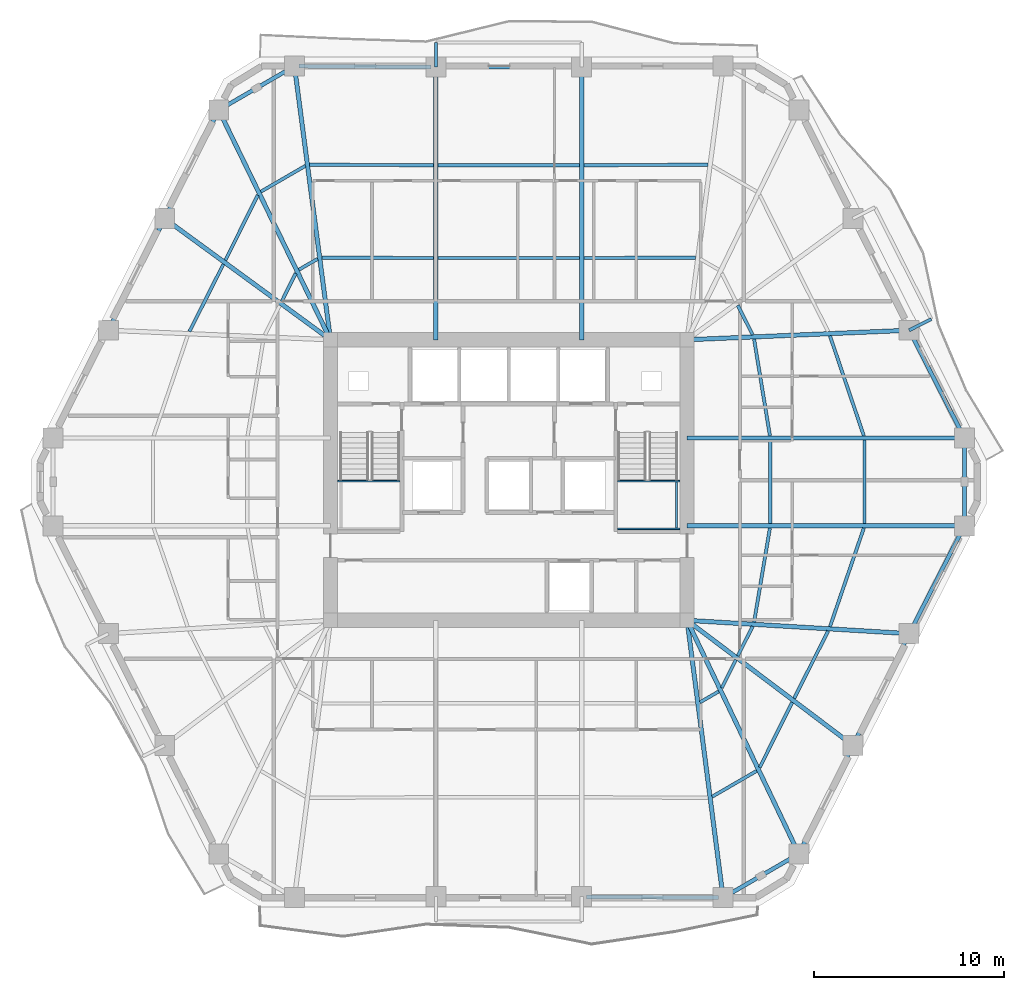
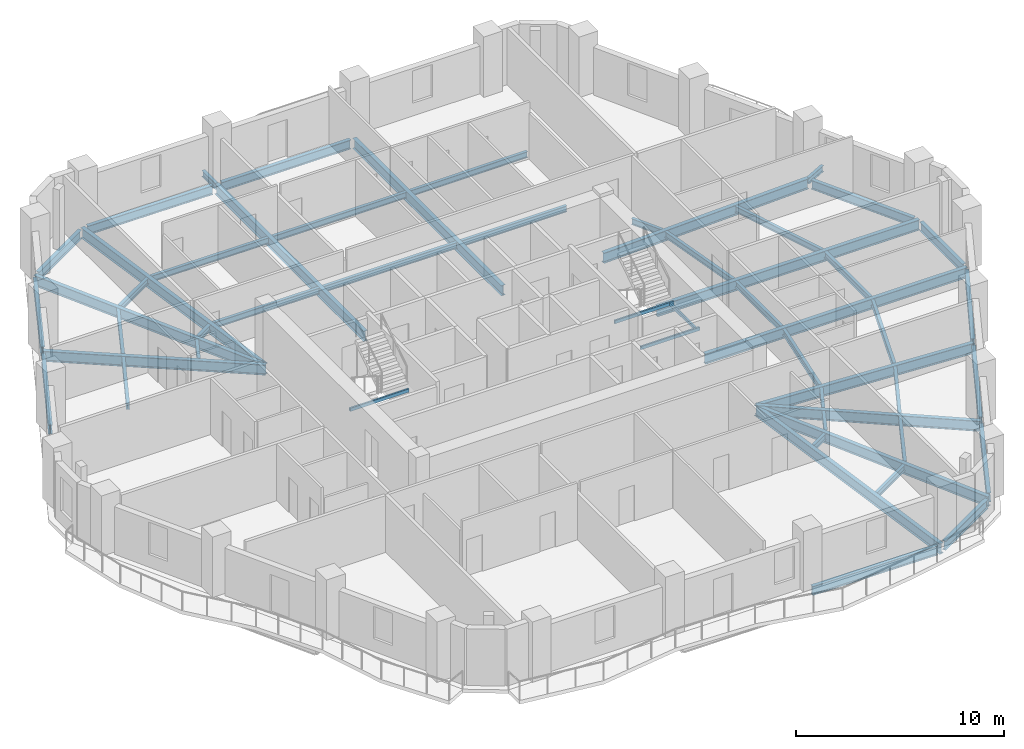
# One storey, part 2 of 11: 54 beams.
"""IFC4 building model written with IfcOpenShell, lengths in metres."""

from ifc_helpers import new_model, si_unit, direction, frame, origin, origin_2d, place, context, subcontext, project, spatial, hollow_rectangle, i_section, extrude, material, material_profile, profile_set, type_object, element, save


model = new_model("IFC4")

# Units and contexts
model_context = context("Model", 3, precision=1e-05, world=origin(), true_north=direction((0.0, 1.0)))
body_context = subcontext(model_context, "Body", "Model", "MODEL_VIEW")
ifc_project = project(units=[si_unit("LENGTHUNIT", "METRE"), si_unit("AREAUNIT", "SQUARE_METRE"), si_unit("VOLUMEUNIT", "CUBIC_METRE"), si_unit("PLANEANGLEUNIT", "RADIAN"), si_unit("MASSUNIT", "GRAM", prefix="KILO")], contexts=[model_context])

# Site, building, storey
site_placement = place(None, origin())
site = spatial("IfcSite", under=ifc_project, at=site_placement, CompositionType="ELEMENT")
building_placement = place(site_placement, origin())
building = spatial("IfcBuilding", under=site, at=building_placement, Name="Cinnabar Lancet Tower", CompositionType="ELEMENT")
storey_placement = place(building_placement, frame((0.0, 0.0, 133.89990234375)))
storey = spatial("IfcBuildingStorey", under=building, at=storey_placement, Name="L35", CompositionType="ELEMENT", Elevation=133.89990234375)

# Beams
ifc_material_1 = material(Name="Structural steel S355", Category="steel")
ifc_material_profile_1 = material_profile(ifc_material_1, i_section(OverallWidth=0.17138671875, OverallDepth=0.35498046875, WebThickness=0.00732421875, FlangeThickness=0.011474609375, FilletRadius=0.01025390625, at=origin_2d()), Name="UKB 356x171x51")
ifc_profile_set_1 = profile_set([ifc_material_profile_1], Name="Structural steel S355")
beam_type_1 = type_object("IfcBeamType", Name="STR-BM-JST-356", PredefinedType="JOIST", material=ifc_profile_set_1)
beam_1_placement = place(storey_placement, frame((43.093994140625, 9.251953125, -0.387939453125), z_axis=(0.865172906898, 0.501473669469, 0.0), x_axis=(-0.501473669469, 0.865172906898, 0.0)))
element("IfcBeam", 1, at=beam_1_placement, inside=storey, type_object=beam_type_1, Name="L35 Secondary Floor Joist 15", PredefinedType="JOIST", context=body_context, shape_type="SweptSolid", body=[
    extrude(i_section(OverallWidth=0.17138671875, OverallDepth=0.35498046875, WebThickness=0.00732421875, FlangeThickness=0.011474609375, FilletRadius=0.01025390625, at=origin_2d()), origin(), (0.0, 0.0, 1.0), 2.705810546875),
])
beam_2_placement = place(storey_placement, frame((42.449951171875, 14.2109375, -0.387939453125), z_axis=(0.865055308165, 0.501676503154, 0.0), x_axis=(-0.501676503154, 0.865055308165, 0.0)))
element("IfcBeam", 2, at=beam_2_placement, inside=storey, type_object=beam_type_1, Name="L35 Secondary Floor Joist 16", PredefinedType="JOIST", context=body_context, shape_type="SweptSolid", body=[
    extrude(i_section(OverallWidth=0.17138671875, OverallDepth=0.35498046875, WebThickness=0.00732421875, FlangeThickness=0.011474609375, FilletRadius=0.01025390625, at=origin_2d()), origin(), (0.0, 0.0, 1.0), 1.14208984375),
])
beam_3_placement = place(storey_placement, frame((45.59912109375, 10.7958984375, -0.387939453125), z_axis=(0.445295120803, 0.895383859241, 0.0), x_axis=(-0.895383859241, 0.445295120803, 0.0)))
element("IfcBeam", 3, at=beam_3_placement, inside=storey, type_object=beam_type_1, Name="L35 Secondary Floor Joist 17", PredefinedType="JOIST", context=body_context, shape_type="SweptSolid", body=[
    extrude(i_section(OverallWidth=0.17138671875, OverallDepth=0.35498046875, WebThickness=0.00732421875, FlangeThickness=0.011474609375, FilletRadius=0.01025390625, at=origin_2d()), origin(), (0.0, 0.0, 1.0), 3.81982421875),
])
beam_4_placement = place(storey_placement, frame((43.60205078125, 14.970947265625, -0.387939453125), z_axis=(0.44543923568, 0.895312173109, 0.0), x_axis=(-0.895312173109, 0.44543923568, 0.0)))
element("IfcBeam", 4, at=beam_4_placement, inside=storey, type_object=beam_type_1, Name="L35 Secondary Floor Joist 18", PredefinedType="JOIST", context=body_context, shape_type="SweptSolid", body=[
    extrude(i_section(OverallWidth=0.17138671875, OverallDepth=0.35498046875, WebThickness=0.00732421875, FlangeThickness=0.011474609375, FilletRadius=0.01025390625, at=origin_2d()), origin(), (0.0, 0.0, 1.0), 1.65185546875),
])
beam_5_placement = place(storey_placement, frame((47.404052734375, 14.424072265625, -0.387939453125), z_axis=(0.450706028652, 0.892672434736, 0.0), x_axis=(-0.892672434736, 0.450706028652, 0.0)))
element("IfcBeam", 5, at=beam_5_placement, inside=storey, type_object=beam_type_1, Name="L35 Secondary Floor Joist 19", PredefinedType="JOIST", context=body_context, shape_type="SweptSolid", body=[
    extrude(i_section(OverallWidth=0.17138671875, OverallDepth=0.35498046875, WebThickness=0.00732421875, FlangeThickness=0.011474609375, FilletRadius=0.01025390625, at=origin_2d()), origin(), (0.0, 0.0, 1.0), 3.966796875),
])
beam_6_placement = place(storey_placement, frame((44.44091796875, 16.657958984375, -0.387939453125), z_axis=(0.450874341268, 0.892587434589, 0.0), x_axis=(-0.892587434589, 0.450874341268, 0.0)))
element("IfcBeam", 6, at=beam_6_placement, inside=storey, type_object=beam_type_1, Name="L35 Secondary Floor Joist 20", PredefinedType="JOIST", context=body_context, shape_type="SweptSolid", body=[
    extrude(i_section(OverallWidth=0.17138671875, OverallDepth=0.35498046875, WebThickness=0.00732421875, FlangeThickness=0.011474609375, FilletRadius=0.01025390625, at=origin_2d()), origin(), (0.0, 0.0, 1.0), 1.732177734375),
])
beam_7_placement = place(storey_placement, frame((49.287109375, 18.18798828125, -0.387939453125), z_axis=(0.324639458548, 0.945837841257, 0.0), x_axis=(-0.945837841257, 0.324639458548, 0.0)))
element("IfcBeam", 7, at=beam_7_placement, inside=storey, type_object=beam_type_1, Name="L35 Secondary Floor Joist 21", PredefinedType="JOIST", context=body_context, shape_type="SweptSolid", body=[
    extrude(i_section(OverallWidth=0.17138671875, OverallDepth=0.35498046875, WebThickness=0.00732421875, FlangeThickness=0.011474609375, FilletRadius=0.01025390625, at=origin_2d()), origin(), (0.0, 0.0, 1.0), 5.486083984375),
])
beam_8_placement = place(storey_placement, frame((45.297119140625, 18.427978515625, -0.387939453125), z_axis=(0.165937104691, 0.986136338082, 0.0), x_axis=(-0.986136338082, 0.165937104691, 0.0)))
element("IfcBeam", 8, at=beam_8_placement, inside=storey, type_object=beam_type_1, Name="L35 Secondary Floor Joist 22", PredefinedType="JOIST", context=body_context, shape_type="SweptSolid", body=[
    extrude(i_section(OverallWidth=0.17138671875, OverallDepth=0.35498046875, WebThickness=0.00732421875, FlangeThickness=0.011474609375, FilletRadius=0.01025390625, at=origin_2d()), origin(), (0.0, 0.0, 1.0), 5.0185546875),
])
for number, where, z_axis, x_axis, name in (
    (9, (51.10693359375, 23.60498046875, -0.387939453125), (0.0, 1.0, 0.0), (-1.0, 0.0, 0.0), "L35 Secondary Floor Joist 23"),
    (10, (46.14990234375, 23.60498046875, -0.387939453125), (0.0, 1.0, 0.0), (-1.0, 0.0, 0.0), "L35 Secondary Floor Joist 24"),
):
    element("IfcBeam", number, at=place(storey_placement, frame(where, z_axis=z_axis, x_axis=x_axis)), inside=storey, type_object=beam_type_1, Name=name, PredefinedType="JOIST", context=body_context, shape_type="SweptSolid", body=[
        extrude(i_section(OverallWidth=0.17138671875, OverallDepth=0.35498046875, WebThickness=0.00732421875, FlangeThickness=0.011474609375, FilletRadius=0.01025390625, at=origin_2d()), origin(), (0.0, 0.0, 1.0), 4.39013671875),
    ])
beam_9_placement = place(storey_placement, frame((51.069091796875, 28.222900390625, -0.387939453125), z_axis=(-0.321063338019, 0.947057724207, 0.0), x_axis=(-0.947057724207, -0.321063338019, 0.0)))
element("IfcBeam", 11, at=beam_9_placement, inside=storey, type_object=beam_type_1, Name="L35 Secondary Floor Joist 25", PredefinedType="JOIST", context=body_context, shape_type="SweptSolid", body=[
    extrude(i_section(OverallWidth=0.17138671875, OverallDepth=0.35498046875, WebThickness=0.00732421875, FlangeThickness=0.011474609375, FilletRadius=0.01025390625, at=origin_2d()), origin(), (0.0, 0.0, 1.0), 5.553955078125),
])
beam_10_placement = place(storey_placement, frame((46.131103515625, 28.222900390625, -0.387939453125), z_axis=(-0.161719098977, 0.986836832017, 0.0), x_axis=(-0.986836832017, -0.161719098977, 0.0)))
element("IfcBeam", 12, at=beam_10_placement, inside=storey, type_object=beam_type_1, Name="L35 Secondary Floor Joist 26", PredefinedType="JOIST", context=body_context, shape_type="SweptSolid", body=[
    extrude(i_section(OverallWidth=0.17138671875, OverallDepth=0.35498046875, WebThickness=0.00732421875, FlangeThickness=0.011474609375, FilletRadius=0.01025390625, at=origin_2d()), origin(), (0.0, 0.0, 1.0), 5.156982421875),
])
beam_11_placement = place(storey_placement, frame((45.221923828125, 33.537109375, -0.387939453125), z_axis=(-0.450931068976, 0.892558777354, 0.0), x_axis=(-0.892558777354, -0.450931068976, 0.0)))
element("IfcBeam", 13, at=beam_11_placement, inside=storey, type_object=beam_type_1, Name="L35 Secondary Floor Joist 28", PredefinedType="JOIST", context=body_context, shape_type="SweptSolid", body=[
    extrude(i_section(OverallWidth=0.17138671875, OverallDepth=0.35498046875, WebThickness=0.00732421875, FlangeThickness=0.011474609375, FilletRadius=0.01025390625, at=origin_2d()), origin(), (0.0, 0.0, 1.0), 1.73193359375),
])
beam_12_placement = place(storey_placement, frame((42.8720703125, 42.48095703125, -0.387939453125), z_axis=(-0.999987991898, -0.004900618269, 0.0), x_axis=(0.004900618269, -0.999987991898, 0.0)))
element("IfcBeam", 14, at=beam_12_placement, inside=storey, type_object=beam_type_1, Name="L35 Secondary Floor Joist 33", PredefinedType="JOIST", context=body_context, shape_type="SweptSolid", body=[
    extrude(i_section(OverallWidth=0.17138671875, OverallDepth=0.35498046875, WebThickness=0.00732421875, FlangeThickness=0.011474609375, FilletRadius=0.01025390625, at=origin_2d()), origin(), (0.0, 0.0, 1.0), 6.526123046875),
])
beam_13_placement = place(storey_placement, frame((42.22802734375, 37.591064453125, -0.387939453125), z_axis=(-0.999996247906, -0.002739374605, 0.0), x_axis=(0.002739374605, -0.999996247906, 0.0)))
element("IfcBeam", 15, at=beam_13_placement, inside=storey, type_object=beam_type_1, Name="L35 Secondary Floor Joist 34", PredefinedType="JOIST", context=body_context, shape_type="SweptSolid", body=[
    extrude(i_section(OverallWidth=0.17138671875, OverallDepth=0.35498046875, WebThickness=0.00732421875, FlangeThickness=0.011474609375, FilletRadius=0.01025390625, at=origin_2d()), origin(), (0.0, 0.0, 1.0), 5.882080078125),
])
for number, where, z_axis, x_axis, name in (
    (16, (36.117919921875, 42.447998046875, -0.387939453125), (-1.0, 0.0, 0.0), (0.0, -1.0, 0.0), "L35 Secondary Floor Joist 35"),
    (17, (36.117919921875, 37.574951171875, -0.387939453125), (-1.0, 0.0, 0.0), (0.0, -1.0, 0.0), "L35 Secondary Floor Joist 36"),
):
    element("IfcBeam", number, at=place(storey_placement, frame(where, z_axis=z_axis, x_axis=x_axis)), inside=storey, type_object=beam_type_1, Name=name, PredefinedType="JOIST", context=body_context, shape_type="SweptSolid", body=[
        extrude(i_section(OverallWidth=0.17138671875, OverallDepth=0.35498046875, WebThickness=0.00732421875, FlangeThickness=0.011474609375, FilletRadius=0.01025390625, at=origin_2d()), origin(), (0.0, 0.0, 1.0), 7.43603515625),
    ])
beam_14_placement = place(storey_placement, frame((28.4541015625, 42.448974609375, -0.387939453125), z_axis=(-0.999987991898, 0.004900618269, 0.0), x_axis=(-0.004900618269, -0.999987991898, 0.0)))
element("IfcBeam", 18, at=beam_14_placement, inside=storey, type_object=beam_type_1, Name="L35 Secondary Floor Joist 37", PredefinedType="JOIST", context=body_context, shape_type="SweptSolid", body=[
    extrude(i_section(OverallWidth=0.17138671875, OverallDepth=0.35498046875, WebThickness=0.00732421875, FlangeThickness=0.011474609375, FilletRadius=0.01025390625, at=origin_2d()), origin(), (0.0, 0.0, 1.0), 6.526123046875),
])
beam_15_placement = place(storey_placement, frame((28.4541015625, 37.574951171875, -0.387939453125), z_axis=(-0.999996247906, 0.002739374605, 0.0), x_axis=(-0.002739374605, -0.999996247906, 0.0)))
element("IfcBeam", 19, at=beam_15_placement, inside=storey, type_object=beam_type_1, Name="L35 Secondary Floor Joist 38", PredefinedType="JOIST", context=body_context, shape_type="SweptSolid", body=[
    extrude(i_section(OverallWidth=0.17138671875, OverallDepth=0.35498046875, WebThickness=0.00732421875, FlangeThickness=0.011474609375, FilletRadius=0.01025390625, at=origin_2d()), origin(), (0.0, 0.0, 1.0), 5.882080078125),
])
beam_16_placement = place(storey_placement, frame((21.7060546875, 42.419921875, -0.387939453125), z_axis=(-0.865172906898, -0.501473669469, 0.0), x_axis=(0.501473669469, -0.865172906898, 0.0)))
element("IfcBeam", 20, at=beam_16_placement, inside=storey, type_object=beam_type_1, Name="L35 Secondary Floor Joist 39", PredefinedType="JOIST", context=body_context, shape_type="SweptSolid", body=[
    extrude(i_section(OverallWidth=0.17138671875, OverallDepth=0.35498046875, WebThickness=0.00732421875, FlangeThickness=0.011474609375, FilletRadius=0.01025390625, at=origin_2d()), origin(), (0.0, 0.0, 1.0), 2.705810546875),
])
beam_17_placement = place(storey_placement, frame((22.35009765625, 37.529052734375, -0.387939453125), z_axis=(-0.865055308165, -0.501676503154, 0.0), x_axis=(0.501676503154, -0.865055308165, 0.0)))
element("IfcBeam", 21, at=beam_17_placement, inside=storey, type_object=beam_type_1, Name="L35 Secondary Floor Joist 40", PredefinedType="JOIST", context=body_context, shape_type="SweptSolid", body=[
    extrude(i_section(OverallWidth=0.17138671875, OverallDepth=0.35498046875, WebThickness=0.00732421875, FlangeThickness=0.011474609375, FilletRadius=0.01025390625, at=origin_2d()), origin(), (0.0, 0.0, 1.0), 1.14208984375),
])
beam_18_placement = place(storey_placement, frame((19.200927734375, 40.876953125, -0.387939453125), z_axis=(-0.445116798807, -0.895472520751, 0.0), x_axis=(0.895472520751, -0.445116798807, 0.0)))
element("IfcBeam", 22, at=beam_18_placement, inside=storey, type_object=beam_type_1, Name="L35 Secondary Floor Joist 41", PredefinedType="JOIST", context=body_context, shape_type="SweptSolid", body=[
    extrude(i_section(OverallWidth=0.17138671875, OverallDepth=0.35498046875, WebThickness=0.00732421875, FlangeThickness=0.011474609375, FilletRadius=0.01025390625, at=origin_2d()), origin(), (0.0, 0.0, 1.0), 3.8212890625),
])
beam_19_placement = place(storey_placement, frame((21.198974609375, 36.77001953125, -0.387939453125), z_axis=(-0.445795466264, -0.895134851438, 0.0), x_axis=(0.895134851438, -0.445795466264, 0.0)))
element("IfcBeam", 23, at=beam_19_placement, inside=storey, type_object=beam_type_1, Name="L35 Secondary Floor Joist 42", PredefinedType="JOIST", context=body_context, shape_type="SweptSolid", body=[
    extrude(i_section(OverallWidth=0.17138671875, OverallDepth=0.35498046875, WebThickness=0.00732421875, FlangeThickness=0.011474609375, FilletRadius=0.01025390625, at=origin_2d()), origin(), (0.0, 0.0, 1.0), 1.6533203125),
])
beam_20_placement = place(storey_placement, frame((17.39599609375, 37.2490234375, -0.387939453125), z_axis=(-0.450656035687, -0.892697674187, 0.0), x_axis=(0.892697674187, -0.450656035687, 0.0)))
element("IfcBeam", 24, at=beam_20_placement, inside=storey, type_object=beam_type_1, Name="L35 Secondary Floor Joist 43", PredefinedType="JOIST", context=body_context, shape_type="SweptSolid", body=[
    extrude(i_section(OverallWidth=0.17138671875, OverallDepth=0.35498046875, WebThickness=0.00732421875, FlangeThickness=0.011474609375, FilletRadius=0.01025390625, at=origin_2d()), origin(), (0.0, 0.0, 1.0), 3.9677734375),
])
ifc_material_2 = material(Name="Structural steel S355", Category="steel")
ifc_material_profile_2 = material_profile(ifc_material_2, hollow_rectangle(XDim=0.10009765625, YDim=0.199951171875, WallThickness=0.008056640625, InnerFilletRadius=0.00390625, OuterFilletRadius=0.011962890625, at=origin_2d()), Name="RHS 200x100x8")
ifc_profile_set_2 = profile_set([ifc_material_profile_2], Name="Structural steel S355")
beam_type_2 = type_object("IfcBeamType", Name="STR-BM-LND-203", PredefinedType="BEAM", material=ifc_profile_set_2)
beam_21_placement = place(storey_placement, frame((23.39990234375, 25.844970703125, 1.47509765625), z_axis=(1.0, 0.0, 0.0), x_axis=(0.0, 1.0, 0.0)))
element("IfcBeam", 25, at=beam_21_placement, inside=storey, type_object=beam_type_2, Name="L35 ST-1-L35 Landing Support Beam N", PredefinedType="BEAM", context=body_context, shape_type="SweptSolid", body=[
    extrude(hollow_rectangle(XDim=0.10009765625, YDim=0.199951171875, WallThickness=0.008056640625, InnerFilletRadius=0.00390625, OuterFilletRadius=0.011962890625, at=origin_2d()), origin(), (0.0, 0.0, 1.0), 3.280029296875),
])
for number, where, z_axis, x_axis, name in (
    (26, (38.1201171875, 23.330078125, 1.47509765625), (1.0, 0.0, 0.0), (0.0, 1.0, 0.0), "L35 ST-2-L35 Landing Support Beam S"),
    (27, (38.1201171875, 25.844970703125, 1.47509765625), (1.0, 0.0, 0.0), (0.0, 1.0, 0.0), "L35 ST-2-L35 Landing Support Beam N"),
):
    element("IfcBeam", number, at=place(storey_placement, frame(where, z_axis=z_axis, x_axis=x_axis)), inside=storey, type_object=beam_type_2, Name=name, PredefinedType="BEAM", context=body_context, shape_type="SweptSolid", body=[
        extrude(hollow_rectangle(XDim=0.10009765625, YDim=0.199951171875, WallThickness=0.008056640625, InnerFilletRadius=0.00390625, OuterFilletRadius=0.011962890625, at=origin_2d()), origin(), (0.0, 0.0, 1.0), 3.27978515625),
    ])
beam_22_placement = place(storey_placement, frame((41.219970703125, 23.3798828125, 1.47509765625), z_axis=(0.0, 1.0, 0.0), x_axis=(-1.0, 0.0, 0.0)))
element("IfcBeam", 28, at=beam_22_placement, inside=storey, type_object=beam_type_2, Name="L35 ST-2-L35 Landing Side Trimmer Beam", PredefinedType="BEAM", context=body_context, shape_type="SweptSolid", body=[
    extrude(hollow_rectangle(XDim=0.10009765625, YDim=0.199951171875, WallThickness=0.008056640625, InnerFilletRadius=0.00390625, OuterFilletRadius=0.011962890625, at=origin_2d()), origin(), (0.0, 0.0, 1.0), 2.4150390625),
])
ifc_material_3 = material(Name="Structural steel S355", Category="steel")
ifc_material_profile_3 = material_profile(ifc_material_3, i_section(OverallWidth=0.209228515625, OverallDepth=0.533203125, WebThickness=0.010009765625, FlangeThickness=0.015625, FilletRadius=0.0126953125, at=origin_2d()), Name="UKB 533x210x92")
ifc_profile_set_3 = profile_set([ifc_material_profile_3], Name="Structural steel S355")
beam_type_3 = type_object("IfcBeamType", Name="STR-BM-SPN-533", PredefinedType="SPANDREL", material=ifc_profile_set_3)
beam_23_placement = place(storey_placement, frame((36.48193359375, 3.989990234375, -0.476806640625), z_axis=(0.999974980359, -0.007073800628, 0.0), x_axis=(0.007073800628, 0.999974980359, 0.0)))
element("IfcBeam", 29, at=beam_23_placement, inside=storey, type_object=beam_type_3, Name="L35 Perimeter Spandrel 3", PredefinedType="SPANDREL", context=body_context, shape_type="SweptSolid", body=[
    extrude(i_section(OverallWidth=0.209228515625, OverallDepth=0.533203125, WebThickness=0.010009765625, FlangeThickness=0.015625, FilletRadius=0.0126953125, at=origin_2d()), origin(), (0.0, 0.0, 1.0), 6.937255859375),
])
beam_24_placement = place(storey_placement, frame((43.885009765625, 4.06396484375, -0.476806640625), z_axis=(0.865112299906, 0.501578217781, 0.0), x_axis=(-0.501578217781, 0.865112299906, 0.0)))
element("IfcBeam", 30, at=beam_24_placement, inside=storey, type_object=beam_type_3, Name="L35 Perimeter Spandrel 4", PredefinedType="SPANDREL", context=body_context, shape_type="SweptSolid", body=[
    extrude(i_section(OverallWidth=0.209228515625, OverallDepth=0.533203125, WebThickness=0.010009765625, FlangeThickness=0.015625, FilletRadius=0.0126953125, at=origin_2d()), origin(), (0.0, 0.0, 1.0), 4.101318359375),
])
beam_25_placement = place(storey_placement, frame((47.760009765625, 6.469970703125, -0.476806640625), z_axis=(0.445501068635, 0.89528140707, 0.0), x_axis=(-0.89528140707, 0.445501068635, 0.0)))
element("IfcBeam", 31, at=beam_25_placement, inside=storey, type_object=beam_type_3, Name="L35 Perimeter Spandrel 5", PredefinedType="SPANDREL", context=body_context, shape_type="SweptSolid", body=[
    extrude(i_section(OverallWidth=0.209228515625, OverallDepth=0.533203125, WebThickness=0.010009765625, FlangeThickness=0.015625, FilletRadius=0.0126953125, at=origin_2d()), origin(), (0.0, 0.0, 1.0), 5.87646484375),
])
beam_26_placement = place(storey_placement, frame((50.60205078125, 12.177978515625, -0.476806640625), z_axis=(0.450570325924, 0.892740937449, 0.0), x_axis=(-0.892740937449, 0.450570325924, 0.0)))
element("IfcBeam", 32, at=beam_26_placement, inside=storey, type_object=beam_type_3, Name="L35 Perimeter Spandrel 6", PredefinedType="SPANDREL", context=body_context, shape_type="SweptSolid", body=[
    extrude(i_section(OverallWidth=0.209228515625, OverallDepth=0.533203125, WebThickness=0.010009765625, FlangeThickness=0.015625, FilletRadius=0.0126953125, at=origin_2d()), origin(), (0.0, 0.0, 1.0), 6.07470703125),
])
beam_27_placement = place(storey_placement, frame((53.56591796875, 18.0458984375, -0.476806640625), z_axis=(0.456109733574, 0.889923542187, 0.0), x_axis=(-0.889923542187, 0.456109733574, 0.0)))
element("IfcBeam", 33, at=beam_27_placement, inside=storey, type_object=beam_type_3, Name="L35 Perimeter Spandrel 7", PredefinedType="SPANDREL", context=body_context, shape_type="SweptSolid", body=[
    extrude(i_section(OverallWidth=0.209228515625, OverallDepth=0.533203125, WebThickness=0.010009765625, FlangeThickness=0.015625, FilletRadius=0.0126953125, at=origin_2d()), origin(), (0.0, 0.0, 1.0), 5.869140625),
])
beam_28_placement = place(storey_placement, frame((56.35693359375, 23.740966796875, -0.476806640625), z_axis=(0.0, 1.0, 0.0), x_axis=(-1.0, 0.0, 0.0)))
element("IfcBeam", 34, at=beam_28_placement, inside=storey, type_object=beam_type_3, Name="L35 Perimeter Spandrel 8", PredefinedType="SPANDREL", context=body_context, shape_type="SweptSolid", body=[
    extrude(i_section(OverallWidth=0.209228515625, OverallDepth=0.533203125, WebThickness=0.010009765625, FlangeThickness=0.015625, FilletRadius=0.0126953125, at=origin_2d()), origin(), (0.0, 0.0, 1.0), 4.117919921875),
])
beam_29_placement = place(storey_placement, frame((56.242919921875, 28.3310546875, -0.476806640625), z_axis=(-0.456126618405, 0.889914888055, 0.0), x_axis=(-0.889914888055, -0.456126618405, 0.0)))
element("IfcBeam", 35, at=beam_29_placement, inside=storey, type_object=beam_type_3, Name="L35 Perimeter Spandrel 9", PredefinedType="SPANDREL", context=body_context, shape_type="SweptSolid", body=[
    extrude(i_section(OverallWidth=0.209228515625, OverallDepth=0.533203125, WebThickness=0.010009765625, FlangeThickness=0.015625, FilletRadius=0.0126953125, at=origin_2d()), origin(), (0.0, 0.0, 1.0), 5.868896484375),
])
beam_30_placement = place(storey_placement, frame((35.98193359375, 47.60791015625, -0.476806640625), z_axis=(-1.0, 0.0, 0.0), x_axis=(0.0, -1.0, 0.0)))
element("IfcBeam", 36, at=beam_30_placement, inside=storey, type_object=beam_type_3, Name="L35 Perimeter Spandrel 14", PredefinedType="SPANDREL", context=body_context, shape_type="SweptSolid", body=[
    extrude(i_section(OverallWidth=0.209228515625, OverallDepth=0.533203125, WebThickness=0.010009765625, FlangeThickness=0.015625, FilletRadius=0.0126953125, at=origin_2d()), origin(), (0.0, 0.0, 1.0), 7.163818359375),
])
beam_31_placement = place(storey_placement, frame((28.318115234375, 47.610107421875, -0.476806640625), z_axis=(-0.999975228682, 0.007038609338, 0.0), x_axis=(-0.007038609338, -0.999975228682, 0.0)))
element("IfcBeam", 37, at=beam_31_placement, inside=storey, type_object=beam_type_3, Name="L35 Perimeter Spandrel 15", PredefinedType="SPANDREL", context=body_context, shape_type="SweptSolid", body=[
    extrude(i_section(OverallWidth=0.209228515625, OverallDepth=0.533203125, WebThickness=0.010009765625, FlangeThickness=0.015625, FilletRadius=0.0126953125, at=origin_2d()), origin(), (0.0, 0.0, 1.0), 6.937255859375),
])
beam_32_placement = place(storey_placement, frame((20.9150390625, 47.535888671875, -0.476806640625), z_axis=(-0.865138129765, -0.5015336643, 0.0), x_axis=(0.5015336643, -0.865138129765, 0.0)))
element("IfcBeam", 38, at=beam_32_placement, inside=storey, type_object=beam_type_3, Name="L35 Perimeter Spandrel 16", PredefinedType="SPANDREL", context=body_context, shape_type="SweptSolid", body=[
    extrude(i_section(OverallWidth=0.209228515625, OverallDepth=0.533203125, WebThickness=0.010009765625, FlangeThickness=0.015625, FilletRadius=0.0126953125, at=origin_2d()), origin(), (0.0, 0.0, 1.0), 4.10107421875),
])
beam_33_placement = place(storey_placement, frame((17.0400390625, 45.1298828125, -0.476806640625), z_axis=(-0.445501068635, -0.89528140707, 0.0), x_axis=(0.89528140707, -0.445501068635, 0.0)))
element("IfcBeam", 39, at=beam_33_placement, inside=storey, type_object=beam_type_3, Name="L35 Perimeter Spandrel 17", PredefinedType="SPANDREL", context=body_context, shape_type="SweptSolid", body=[
    extrude(i_section(OverallWidth=0.209228515625, OverallDepth=0.533203125, WebThickness=0.010009765625, FlangeThickness=0.015625, FilletRadius=0.0126953125, at=origin_2d()), origin(), (0.0, 0.0, 1.0), 5.87646484375),
])
beam_34_placement = place(storey_placement, frame((14.197998046875, 39.422119140625, -0.476806640625), z_axis=(-0.450570325924, -0.892740937449, 0.0), x_axis=(0.892740937449, -0.450570325924, 0.0)))
element("IfcBeam", 40, at=beam_34_placement, inside=storey, type_object=beam_type_3, Name="L35 Perimeter Spandrel 18", PredefinedType="SPANDREL", context=body_context, shape_type="SweptSolid", body=[
    extrude(i_section(OverallWidth=0.209228515625, OverallDepth=0.533203125, WebThickness=0.010009765625, FlangeThickness=0.015625, FilletRadius=0.0126953125, at=origin_2d()), origin(), (0.0, 0.0, 1.0), 6.07470703125),
])
ifc_material_4 = material(Name="Structural steel S355", Category="steel")
ifc_material_profile_4 = material_profile(ifc_material_4, i_section(OverallWidth=0.228271484375, OverallDepth=0.607666015625, WebThickness=0.010986328125, FlangeThickness=0.017333984375, FilletRadius=0.0126953125, at=origin_2d()), Name="UKB 610x229x113")
ifc_profile_set_4 = profile_set([ifc_material_profile_4], Name="Structural steel S355")
beam_type_4 = type_object("IfcBeamType", Name="STR-BM-UKB610-113", PredefinedType="BEAM", material=ifc_profile_set_4)
beam_35_placement = place(storey_placement, frame((50.489013671875, 11.955078125, -0.513916015625), z_axis=(-0.798491457835, 0.602006139308, 0.0), x_axis=(-0.602006139308, -0.798491457835, 0.0)))
element("IfcBeam", 41, at=beam_35_placement, inside=storey, type_object=beam_type_4, Name="L35 Corner Collector Girder 2", PredefinedType="BEAM", context=body_context, shape_type="SweptSolid", body=[
    extrude(i_section(OverallWidth=0.228271484375, OverallDepth=0.607666015625, WebThickness=0.010986328125, FlangeThickness=0.017333984375, FilletRadius=0.0126953125, at=origin_2d()), origin(), (0.0, 0.0, 1.0), 10.913330078125),
])
beam_36_placement = place(storey_placement, frame((14.31103515625, 39.64501953125, -0.513916015625), z_axis=(0.807289993592, -0.590154951048, 0.0), x_axis=(0.590154951048, 0.807289993592, 0.0)))
element("IfcBeam", 42, at=beam_36_placement, inside=storey, type_object=beam_type_4, Name="L35 Corner Collector Girder 4", PredefinedType="BEAM", context=body_context, shape_type="SweptSolid", body=[
    extrude(i_section(OverallWidth=0.228271484375, OverallDepth=0.607666015625, WebThickness=0.010986328125, FlangeThickness=0.017333984375, FilletRadius=0.0126953125, at=origin_2d()), origin(), (0.0, 0.0, 1.0), 10.7939453125),
])
beam_37_placement = place(storey_placement, frame((43.6689453125, 3.93896484375, -0.513916015625), z_axis=(-0.12877289353, 0.99167411073, 0.0), x_axis=(-0.99167411073, -0.12877289353, 0.0)))
element("IfcBeam", 43, at=beam_37_placement, inside=storey, type_object=beam_type_4, Name="L35 Primary Floor Girder 4", PredefinedType="BEAM", context=body_context, shape_type="SweptSolid", body=[
    extrude(i_section(OverallWidth=0.228271484375, OverallDepth=0.607666015625, WebThickness=0.010986328125, FlangeThickness=0.017333984375, FilletRadius=0.0126953125, at=origin_2d()), origin(), (0.0, 0.0, 1.0), 14.70849609375),
])
beam_38_placement = place(storey_placement, frame((47.64892578125, 6.24609375, -0.513916015625), z_axis=(-0.431548156881, 0.902089900339, 0.0), x_axis=(-0.902089900339, -0.431548156881, 0.0)))
element("IfcBeam", 44, at=beam_38_placement, inside=storey, type_object=beam_type_4, Name="L35 Primary Floor Girder 5", PredefinedType="BEAM", context=body_context, shape_type="SweptSolid", body=[
    extrude(i_section(OverallWidth=0.228271484375, OverallDepth=0.607666015625, WebThickness=0.010986328125, FlangeThickness=0.017333984375, FilletRadius=0.0126953125, at=origin_2d()), origin(), (0.0, 0.0, 1.0), 13.611572265625),
])
beam_39_placement = place(storey_placement, frame((53.451904296875, 17.823974609375, -0.513916015625), z_axis=(-0.998203272991, 0.059918492897, 0.0), x_axis=(-0.059918492897, -0.998203272991, 0.0)))
element("IfcBeam", 45, at=beam_39_placement, inside=storey, type_object=beam_type_4, Name="L35 Primary Floor Girder 7", PredefinedType="BEAM", context=body_context, shape_type="SweptSolid", body=[
    extrude(i_section(OverallWidth=0.228271484375, OverallDepth=0.607666015625, WebThickness=0.010986328125, FlangeThickness=0.017333984375, FilletRadius=0.0126953125, at=origin_2d()), origin(), (0.0, 0.0, 1.0), 11.697998046875),
])
for number, where, z_axis, x_axis, name in (
    (46, (56.35693359375, 23.490966796875, -0.513916015625), (-1.0, 0.0, 0.0), (0.0, -1.0, 0.0), "L35 Primary Floor Girder 8"),
    (47, (56.35693359375, 28.10888671875, -0.513916015625), (-1.0, 0.0, 0.0), (0.0, -1.0, 0.0), "L35 Primary Floor Girder 9"),
):
    element("IfcBeam", number, at=place(storey_placement, frame(where, z_axis=z_axis, x_axis=x_axis)), inside=storey, type_object=beam_type_4, Name=name, PredefinedType="BEAM", context=body_context, shape_type="SweptSolid", body=[
        extrude(i_section(OverallWidth=0.228271484375, OverallDepth=0.607666015625, WebThickness=0.010986328125, FlangeThickness=0.017333984375, FilletRadius=0.0126953125, at=origin_2d()), origin(), (0.0, 0.0, 1.0), 14.58203125),
    ])
beam_40_placement = place(storey_placement, frame((53.451904296875, 33.77587890625, -0.513916015625), z_axis=(-0.999080941658, -0.042863411158, 0.0), x_axis=(0.042863411158, -0.999080941658, 0.0)))
element("IfcBeam", 48, at=beam_40_placement, inside=storey, type_object=beam_type_4, Name="L35 Primary Floor Girder 10", PredefinedType="BEAM", context=body_context, shape_type="SweptSolid", body=[
    extrude(i_section(OverallWidth=0.228271484375, OverallDepth=0.607666015625, WebThickness=0.010986328125, FlangeThickness=0.017333984375, FilletRadius=0.0126953125, at=origin_2d()), origin(), (0.0, 0.0, 1.0), 11.687744140625),
])
for number, where, z_axis, x_axis, name in (
    (49, (36.23193359375, 47.60791015625, -0.513916015625), (0.0, -1.0, 0.0), (1.0, 0.0, 0.0), "L35 Primary Floor Girder 14"),
    (50, (28.568115234375, 47.60791015625, -0.513916015625), (0.0, -1.0, 0.0), (1.0, 0.0, 0.0), "L35 Primary Floor Girder 15"),
):
    element("IfcBeam", number, at=place(storey_placement, frame(where, z_axis=z_axis, x_axis=x_axis)), inside=storey, type_object=beam_type_4, Name=name, PredefinedType="BEAM", context=body_context, shape_type="SweptSolid", body=[
        extrude(i_section(OverallWidth=0.228271484375, OverallDepth=0.607666015625, WebThickness=0.010986328125, FlangeThickness=0.017333984375, FilletRadius=0.0126953125, at=origin_2d()), origin(), (0.0, 0.0, 1.0), 14.3330078125),
    ])
beam_41_placement = place(storey_placement, frame((21.131103515625, 47.660888671875, -0.513916015625), z_axis=(0.130515881524, -0.991446218748, 0.0), x_axis=(0.991446218748, 0.130515881524, 0.0)))
element("IfcBeam", 51, at=beam_41_placement, inside=storey, type_object=beam_type_4, Name="L35 Primary Floor Girder 16", PredefinedType="BEAM", context=body_context, shape_type="SweptSolid", body=[
    extrude(i_section(OverallWidth=0.228271484375, OverallDepth=0.607666015625, WebThickness=0.010986328125, FlangeThickness=0.017333984375, FilletRadius=0.0126953125, at=origin_2d()), origin(), (0.0, 0.0, 1.0), 14.510009765625),
])
beam_42_placement = place(storey_placement, frame((17.15087890625, 45.35400390625, -0.513916015625), z_axis=(0.437327473227, -0.899302330232, 0.0), x_axis=(0.899302330232, 0.437327473227, 0.0)))
element("IfcBeam", 52, at=beam_42_placement, inside=storey, type_object=beam_type_4, Name="L35 Primary Floor Girder 17", PredefinedType="BEAM", context=body_context, shape_type="SweptSolid", body=[
    extrude(i_section(OverallWidth=0.228271484375, OverallDepth=0.607666015625, WebThickness=0.010986328125, FlangeThickness=0.017333984375, FilletRadius=0.0126953125, at=origin_2d()), origin(), (0.0, 0.0, 1.0), 13.431640625),
])
ifc_material_5 = material(Name="Structural steel S355", Category="steel")
ifc_material_profile_5 = material_profile(ifc_material_5, i_section(OverallWidth=0.17138671875, OverallDepth=0.35498046875, WebThickness=0.00732421875, FlangeThickness=0.011474609375, FilletRadius=0.01025390625, at=origin_2d()), Name="UKB 356x171x51")
ifc_profile_set_5 = profile_set([ifc_material_profile_5], Name="Structural steel S355")
beam_type_5 = type_object("IfcBeamType", Name="STR-BM-WAV-OUT", PredefinedType="BEAM", material=ifc_profile_set_5)
beam_43_placement = place(storey_placement, frame((53.451904296875, 33.77587890625, -0.39794921875), z_axis=(0.892238560088, 0.451564338597, 0.0), x_axis=(-0.451564338597, 0.892238560088, 0.0)))
element("IfcBeam", 53, at=beam_43_placement, inside=storey, type_object=beam_type_5, Name="L35 Face 3 Balcony Outlooker A", PredefinedType="BEAM", context=body_context, shape_type="SweptSolid", body=[
    extrude(i_section(OverallWidth=0.17138671875, OverallDepth=0.35498046875, WebThickness=0.00732421875, FlangeThickness=0.011474609375, FilletRadius=0.01025390625, at=origin_2d()), origin(), (0.0, 0.0, 1.0), 1.30029296875),
])
beam_44_placement = place(storey_placement, frame((28.568115234375, 47.60791015625, -0.39794921875), z_axis=(0.0, 1.0, 0.0), x_axis=(-1.0, 0.0, 0.0)))
element("IfcBeam", 54, at=beam_44_placement, inside=storey, type_object=beam_type_5, Name="L35 Face 4 Balcony Outlooker B", PredefinedType="BEAM", context=body_context, shape_type="SweptSolid", body=[
    extrude(i_section(OverallWidth=0.17138671875, OverallDepth=0.35498046875, WebThickness=0.00732421875, FlangeThickness=0.011474609375, FilletRadius=0.01025390625, at=origin_2d()), origin(), (0.0, 0.0, 1.0), 1.300048828125),
])

save(model, "model.ifc")
